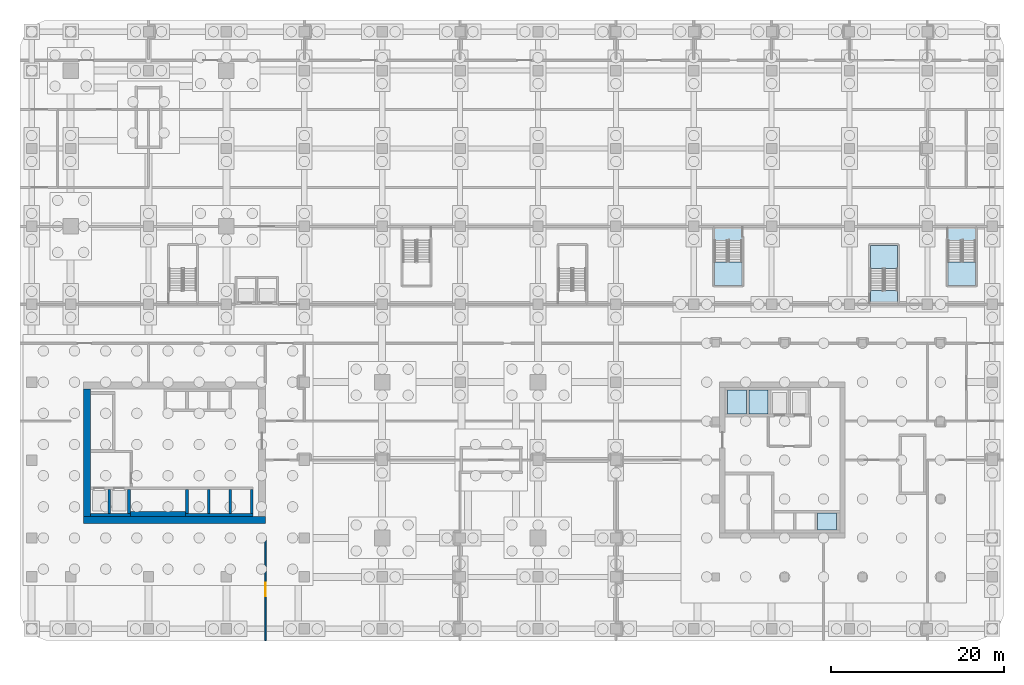
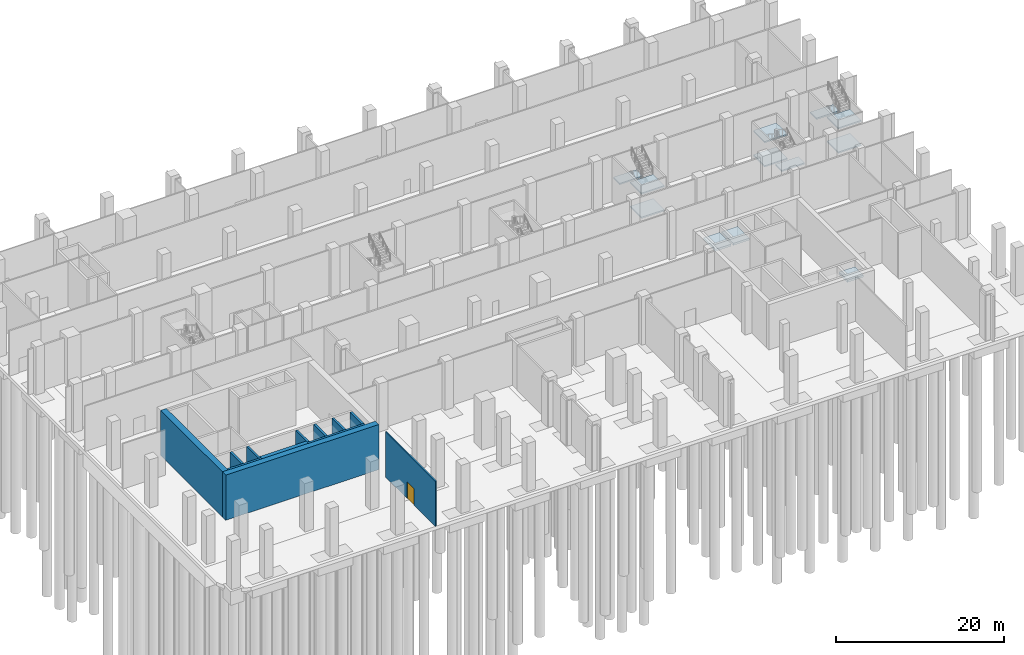
# One storey, part 7 of 23: 12 slabs, 12 walls, 1 door, 1 opening, 3 elements without a shape of their own.
"""IFC4 building model written with IfcOpenShell, lengths in metres."""

from ifc_helpers import new_model, si_unit, direction, frame, frame_2d, origin, place, context, subcontext, project, spatial, polyline, rectangle, outline, extrude, material, layer, layer_set, type_object, element, fill, aggregate, save


model = new_model("IFC4")

# Units and contexts
model_context = context("Model", 3, precision=1e-05, world=origin(), true_north=direction((0.0, 1.0)))
body_context = subcontext(model_context, "Body", "Model", "MODEL_VIEW")
ifc_project = project(units=[si_unit("LENGTHUNIT", "METRE"), si_unit("AREAUNIT", "SQUARE_METRE"), si_unit("VOLUMEUNIT", "CUBIC_METRE"), si_unit("PLANEANGLEUNIT", "RADIAN"), si_unit("MASSUNIT", "GRAM", prefix="KILO")], contexts=[model_context])

# Site, building, storey
site_placement = place(None, origin())
site = spatial("IfcSite", under=ifc_project, at=site_placement, CompositionType="ELEMENT")
building_placement = place(site_placement, origin())
building = spatial("IfcBuilding", under=site, at=building_placement, Name="Plateau Cross Towers", CompositionType="ELEMENT")
storey_placement = place(building_placement, frame((0.0, 0.0, -7.0)))
storey = spatial("IfcBuildingStorey", under=building, at=storey_placement, Name="B1", CompositionType="ELEMENT", Elevation=-7.0)

# Slabs
ifc_material_1 = material(Name="Concrete C40/50", Category="concrete")
ifc_layer_1 = layer(ifc_material_1, 0.300048828125)
ifc_layer_set_1 = layer_set([ifc_layer_1], Name="Concrete C40/50")
slab_type_1 = type_object("IfcSlabType", Name="Lift pit slab 300", PredefinedType="BASESLAB", material=ifc_layer_set_1)
slab_1_placement = place(storey_placement, frame((0.0, 0.0, 5.300048828125)))
element("IfcSlab", 1, at=slab_1_placement, inside=storey, type_object=slab_type_1, Name="Lift pit slab BL3", PredefinedType="BASESLAB", context=body_context, shape_type="SweptSolid", body=[
    extrude(outline(polyline([(86.300048828125, 0.89990234375), (88.5, 0.89990234375), (88.5, 2.89990234375), (86.300048828125, 2.89990234375), (86.300048828125, 0.89990234375)])), origin(), (0.0, 0.0, 1.0), 0.300048828125),
])
slab_2_placement = place(storey_placement, frame((0.0, 0.0, 5.300048828125)))
element("IfcSlab", 2, at=slab_2_placement, inside=storey, type_object=slab_type_1, Name="Lift pit slab BL4", PredefinedType="BASESLAB", context=body_context, shape_type="SweptSolid", body=[
    extrude(outline(polyline([(75.89990234375, 14.300048828125), (78.10009765625, 14.300048828125), (78.10009765625, 17.10009765625), (75.89990234375, 17.10009765625), (75.89990234375, 14.300048828125)])), origin(), (0.0, 0.0, 1.0), 0.300048828125),
])
slab_3_placement = place(storey_placement, frame((0.0, 0.0, 5.300048828125)))
element("IfcSlab", 3, at=slab_3_placement, inside=storey, type_object=slab_type_1, Name="Lift pit slab BL5", PredefinedType="BASESLAB", context=body_context, shape_type="SweptSolid", body=[
    extrude(outline(polyline([(78.39990234375, 14.300048828125), (80.60009765625, 14.300048828125), (80.60009765625, 17.10009765625), (78.39990234375, 17.10009765625), (78.39990234375, 14.300048828125)])), origin(), (0.0, 0.0, 1.0), 0.300048828125),
])

# Stair, slabs
stair_type = type_object("IfcStairType", Name="Station exit stair 1500", PredefinedType="HALF_TURN_STAIR", material=ifc_material_1)
stair_1_placement = place(storey_placement, origin())
stair_1 = element("IfcStair", 4, at=stair_1_placement, inside=storey, type_object=stair_type, Name="B1 Exit Stair 4", PredefinedType="HALF_TURN_STAIR")
ifc_layer_2 = layer(ifc_material_1, 0.199951171875)
ifc_layer_set_2 = layer_set([ifc_layer_2], Name="Concrete C40/50")
slab_type_2 = type_object("IfcSlabType", Name="SL-LANDING", PredefinedType="LANDING", material=ifc_layer_set_2)
slab_4_placement = place(storey_placement, frame((0.0, 0.0, 1.550048828125)))
slab_4 = element("IfcSlab", 5, at=slab_4_placement, type_object=slab_type_2, Name="PB4 landing 1", PredefinedType="LANDING", context=body_context, shape_type="SweptSolid", body=[
    extrude(outline(polyline([(74.39990234375, 31.8798828125), (74.39990234375, 29.199951171875), (77.550048828125, 29.199951171875), (77.550048828125, 31.8798828125), (74.39990234375, 31.8798828125)])), origin(), (0.0, 0.0, 1.0), 0.199951171875),
])
slab_5_placement = place(storey_placement, frame((0.0, 0.0, 3.300048828125)))
slab_5 = element("IfcSlab", 6, at=slab_5_placement, type_object=slab_type_2, Name="PB4 landing 2", PredefinedType="LANDING", context=body_context, shape_type="SweptSolid", body=[
    extrude(outline(polyline([(74.39990234375, 35.89990234375), (74.39990234375, 34.39990234375), (77.550048828125, 34.39990234375), (77.550048828125, 35.89990234375), (74.39990234375, 35.89990234375)])), origin(), (0.0, 0.0, 1.0), 0.199951171875),
])
slab_6_placement = place(storey_placement, frame((0.0, 0.0, 5.050048828125)))
slab_6 = element("IfcSlab", 7, at=slab_6_placement, type_object=slab_type_2, Name="PB4 landing 3", PredefinedType="LANDING", context=body_context, shape_type="SweptSolid", body=[
    extrude(outline(polyline([(74.39990234375, 31.8798828125), (74.39990234375, 29.199951171875), (77.550048828125, 29.199951171875), (77.550048828125, 31.8798828125), (74.39990234375, 31.8798828125)])), origin(), (0.0, 0.0, 1.0), 0.199951171875),
])
aggregate(stair_1, [slab_4, slab_5, slab_6])

stair_2_placement = place(storey_placement, origin())
stair_2 = element("IfcStair", 8, at=stair_2_placement, inside=storey, type_object=stair_type, Name="B1 Exit Stair 5", PredefinedType="HALF_TURN_STAIR")
slab_7_placement = place(storey_placement, frame((0.0, 0.0, 1.550048828125)))
slab_7 = element("IfcSlab", 9, at=slab_7_placement, type_object=slab_type_2, Name="PB5 landing 1", PredefinedType="LANDING", context=body_context, shape_type="SweptSolid", body=[
    extrude(outline(polyline([(95.550048828125, 31.1201171875), (95.550048828125, 33.800048828125), (92.39990234375, 33.800048828125), (92.39990234375, 31.1201171875), (95.550048828125, 31.1201171875)])), origin(), (0.0, 0.0, 1.0), 0.199951171875),
])
slab_8_placement = place(storey_placement, frame((0.0, 0.0, 3.300048828125)))
slab_8 = element("IfcSlab", 10, at=slab_8_placement, type_object=slab_type_2, Name="PB5 landing 2", PredefinedType="LANDING", context=body_context, shape_type="SweptSolid", body=[
    extrude(outline(polyline([(95.550048828125, 27.10009765625), (95.550048828125, 28.60009765625), (92.39990234375, 28.60009765625), (92.39990234375, 27.10009765625), (95.550048828125, 27.10009765625)])), origin(), (0.0, 0.0, 1.0), 0.199951171875),
])
slab_9_placement = place(storey_placement, frame((0.0, 0.0, 5.050048828125)))
slab_9 = element("IfcSlab", 11, at=slab_9_placement, type_object=slab_type_2, Name="PB5 landing 3", PredefinedType="LANDING", context=body_context, shape_type="SweptSolid", body=[
    extrude(outline(polyline([(95.550048828125, 31.1201171875), (95.550048828125, 33.800048828125), (92.39990234375, 33.800048828125), (92.39990234375, 31.1201171875), (95.550048828125, 31.1201171875)])), origin(), (0.0, 0.0, 1.0), 0.199951171875),
])
aggregate(stair_2, [slab_7, slab_8, slab_9])

stair_3_placement = place(storey_placement, origin())
stair_3 = element("IfcStair", 12, at=stair_3_placement, inside=storey, type_object=stair_type, Name="B1 Exit Stair 6", PredefinedType="HALF_TURN_STAIR")
slab_10_placement = place(storey_placement, frame((0.0, 0.0, 1.550048828125)))
slab_10 = element("IfcSlab", 13, at=slab_10_placement, type_object=slab_type_2, Name="PB6 landing 1", PredefinedType="LANDING", context=body_context, shape_type="SweptSolid", body=[
    extrude(outline(polyline([(101.39990234375, 31.8798828125), (101.39990234375, 29.199951171875), (104.550048828125, 29.199951171875), (104.550048828125, 31.8798828125), (101.39990234375, 31.8798828125)])), origin(), (0.0, 0.0, 1.0), 0.199951171875),
])
slab_11_placement = place(storey_placement, frame((0.0, 0.0, 3.300048828125)))
slab_11 = element("IfcSlab", 14, at=slab_11_placement, type_object=slab_type_2, Name="PB6 landing 2", PredefinedType="LANDING", context=body_context, shape_type="SweptSolid", body=[
    extrude(outline(polyline([(101.39990234375, 35.89990234375), (101.39990234375, 34.39990234375), (104.550048828125, 34.39990234375), (104.550048828125, 35.89990234375), (101.39990234375, 35.89990234375)])), origin(), (0.0, 0.0, 1.0), 0.199951171875),
])
slab_12_placement = place(storey_placement, frame((0.0, 0.0, 5.050048828125)))
slab_12 = element("IfcSlab", 15, at=slab_12_placement, type_object=slab_type_2, Name="PB6 landing 3", PredefinedType="LANDING", context=body_context, shape_type="SweptSolid", body=[
    extrude(outline(polyline([(101.39990234375, 31.8798828125), (101.39990234375, 29.199951171875), (104.550048828125, 29.199951171875), (104.550048828125, 31.8798828125), (101.39990234375, 31.8798828125)])), origin(), (0.0, 0.0, 1.0), 0.199951171875),
])
aggregate(stair_3, [slab_10, slab_11, slab_12])

# Walls
ifc_material_2 = material(Name="Concrete C60/75", Category="concrete")
ifc_layer_3 = layer(ifc_material_2, 0.300048828125)
ifc_layer_set_3 = layer_set([ifc_layer_3], Name="Concrete C60/75")
wall_type_1 = type_object("IfcWallType", Name="Core shaft wall 300", PredefinedType="SHEAR", material=ifc_layer_set_3)
wall_1_placement = place(storey_placement, frame((2.300048828125, 2.64990234375, 0.0), z_axis=(0.0, 0.0, 1.0), x_axis=(1.0, 0.0, 0.0)))
element("IfcWall", 16, at=wall_1_placement, inside=storey, type_object=wall_type_1, Name="A-sb-back1@B1", PredefinedType="SHEAR", context=body_context, shape_type="SweptSolid", body=[
    extrude(rectangle(XDim=4.599853515625, YDim=0.300048828125, at=frame_2d((2.2998046875, 0.0))), origin(), (0.0, 0.0, 1.0), 6.550048828125),
])
wall_2_placement = place(storey_placement, frame((13.300048828125, 2.64990234375, 0.0), z_axis=(0.0, 0.0, 1.0), x_axis=(1.0, 0.0, 0.0)))
element("IfcWall", 17, at=wall_2_placement, inside=storey, type_object=wall_type_1, Name="A-sb-back3@B1", PredefinedType="SHEAR", context=body_context, shape_type="SweptSolid", body=[
    extrude(rectangle(XDim=7.800048828125, YDim=0.300048828125, at=frame_2d((3.89990234375, 0.0))), origin(), (0.0, 0.0, 1.0), 6.550048828125),
])
for number, where, z_axis, x_axis, name in (
    (18, (4.449951171875, 2.800048828125, 0.0), (0.0, 0.0, 1.0), (0.0, 1.0, 0.0), "A-sb-v1@B1"),
    (19, (6.75, 2.800048828125, 0.0), (0.0, 0.0, 1.0), (0.0, 1.0, 0.0), "A-sb-v2@B1"),
    (20, (13.449951171875, 2.800048828125, 0.0), (0.0, 0.0, 1.0), (0.0, 1.0, 0.0), "A-sb-v3@B1"),
    (21, (15.949951171875, 2.800048828125, 0.0), (0.0, 0.0, 1.0), (0.0, 1.0, 0.0), "A-sb-v4@B1"),
    (22, (18.449951171875, 2.800048828125, 0.0), (0.0, 0.0, 1.0), (0.0, 1.0, 0.0), "A-sb-v5@B1"),
    (23, (20.949951171875, 2.800048828125, 0.0), (0.0, 0.0, 1.0), (0.0, 1.0, 0.0), "A-sb-v6@B1"),
):
    element("IfcWall", number, at=place(storey_placement, frame(where, z_axis=z_axis, x_axis=x_axis)), inside=storey, type_object=wall_type_1, Name=name, PredefinedType="SHEAR", context=body_context, shape_type="SweptSolid", body=[
        extrude(rectangle(XDim=2.800048828125, YDim=0.300048828125, at=frame_2d((1.39990234375, 0.0))), origin(), (0.0, 0.0, 1.0), 6.550048828125),
    ])
ifc_layer_4 = layer(ifc_material_2, 0.550048828125)
ifc_layer_set_4 = layer_set([ifc_layer_4], Name="Concrete C60/75")
wall_type_2 = type_object("IfcWallType", Name="Core shaft wall 550", PredefinedType="SHEAR", material=ifc_layer_set_4)
wall_3_placement = place(storey_placement, frame((6.89990234375, 2.77490234375, 0.0), z_axis=(0.0, 0.0, 1.0), x_axis=(1.0, 0.0, 0.0)))
element("IfcWall", 24, at=wall_3_placement, inside=storey, type_object=wall_type_2, Name="A-sb-back2@B1", PredefinedType="SHEAR", context=body_context, shape_type="SweptSolid", body=[
    extrude(rectangle(XDim=6.400146484375, YDim=0.550048828125, at=frame_2d((3.2001953125, 0.0))), origin(), (0.0, 0.0, 1.0), 6.550048828125),
])
ifc_layer_5 = layer(ifc_material_2, 0.800048828125)
ifc_layer_set_5 = layer_set([ifc_layer_5], Name="Concrete C60/75")
wall_type_3 = type_object("IfcWallType", Name="Core shell wall 800", PredefinedType="SHEAR", material=ifc_layer_set_5)
wall_4_placement = place(storey_placement, frame((1.5, 2.10009765625, 0.0), z_axis=(0.0, 0.0, 1.0), x_axis=(1.0, 0.0, 0.0)))
element("IfcWall", 25, at=wall_4_placement, inside=storey, type_object=wall_type_3, Name="A-core-S@B1", PredefinedType="SHEAR", context=body_context, shape_type="SweptSolid", body=[
    extrude(rectangle(XDim=21.0, YDim=0.800048828125, at=frame_2d((10.5, 0.0))), origin(), (0.0, 0.0, 1.0), 6.550048828125),
])
wall_5_placement = place(storey_placement, frame((1.89990234375, 2.5, 0.0), z_axis=(0.0, 0.0, 1.0), x_axis=(0.0, 1.0, 0.0)))
element("IfcWall", 26, at=wall_5_placement, inside=storey, type_object=wall_type_3, Name="A-core-W@B1", PredefinedType="SHEAR", context=body_context, shape_type="SweptSolid", body=[
    extrude(rectangle(XDim=14.699951171875, YDim=0.800048828125, at=frame_2d((7.35009765625, 0.0))), origin(), (0.0, 0.0, 1.0), 6.550048828125),
])

# Wall, opening, door
ifc_material_3 = material(Name="Dense masonry block, plastered, acoustic lining", Category="masonry")
ifc_layer_6 = layer(ifc_material_3, 0.179931640625)
ifc_layer_set_6 = layer_set([ifc_layer_6], Name="Dense masonry block, plastered, acoustic lining")
wall_type_4 = type_object("IfcWallType", Name="Plant room acoustic wall 180", PredefinedType="PARTITIONING", material=ifc_layer_set_6)
wall_6_placement = place(storey_placement, frame((22.5, -11.85009765625, 0.0), z_axis=(0.0, 0.0, 1.0), x_axis=(0.0, 1.0, 0.0)))
wall_6 = element("IfcWall", 27, at=wall_6_placement, inside=storey, type_object=wall_type_4, Name="Partition wall", PredefinedType="PARTITIONING", context=body_context, shape_type="SweptSolid", body=[
    extrude(rectangle(XDim=11.85009765625, YDim=0.179931640625, at=frame_2d((5.925048828125, 0.0))), origin(), (0.0, 0.0, 1.0), 6.550048828125),
])
opening_placement = place(wall_6_placement, frame((5.10009765625, 0.0, 0.0)))
opening = element("IfcOpeningElement", 28, at=opening_placement, cuts=wall_6, Name="Opening B1-19", PredefinedType="OPENING", context=body_context, shape_type="SweptSolid", body=[
    extrude(rectangle(XDim=1.60009765625, YDim=2.39990234375, at=frame_2d((0.800048828125, 1.199951171875))), frame((0.0, 0.099853515625, 0.0), z_axis=(0.0, -1.0, 0.0), x_axis=(1.0, 0.0, 0.0)), (0.0, 0.0, 1.0), 0.199951171875),
])
ifc_material_4 = material(Name="Steel, fire-resisting double leaf with louvre panel", Category="steel")
door_type = type_object("IfcDoorType", Name="Plant room double door 1600x2400", OperationType="NOTDEFINED", PredefinedType="DOOR", material=ifc_material_4)
door_placement = place(opening_placement, origin())
door = element("IfcDoor", 29, at=door_placement, inside=storey, type_object=door_type, Name="Door B1-19", OperationType="SINGLE_SWING_LEFT", OverallHeight=2.39990234375, OverallWidth=1.60009765625, PredefinedType="DOOR", context=body_context, shape_type="SweptSolid", body=[
    extrude(rectangle(XDim=1.60009765625, YDim=2.39990234375, at=frame_2d((0.800048828125, 1.199951171875))), frame((0.0, 0.02490234375, 0.0), z_axis=(0.0, -1.0, 0.0), x_axis=(1.0, 0.0, 0.0)), (0.0, 0.0, 1.0), 0.050048828125),
])
fill(opening, door)

save(model, "model.ifc")
